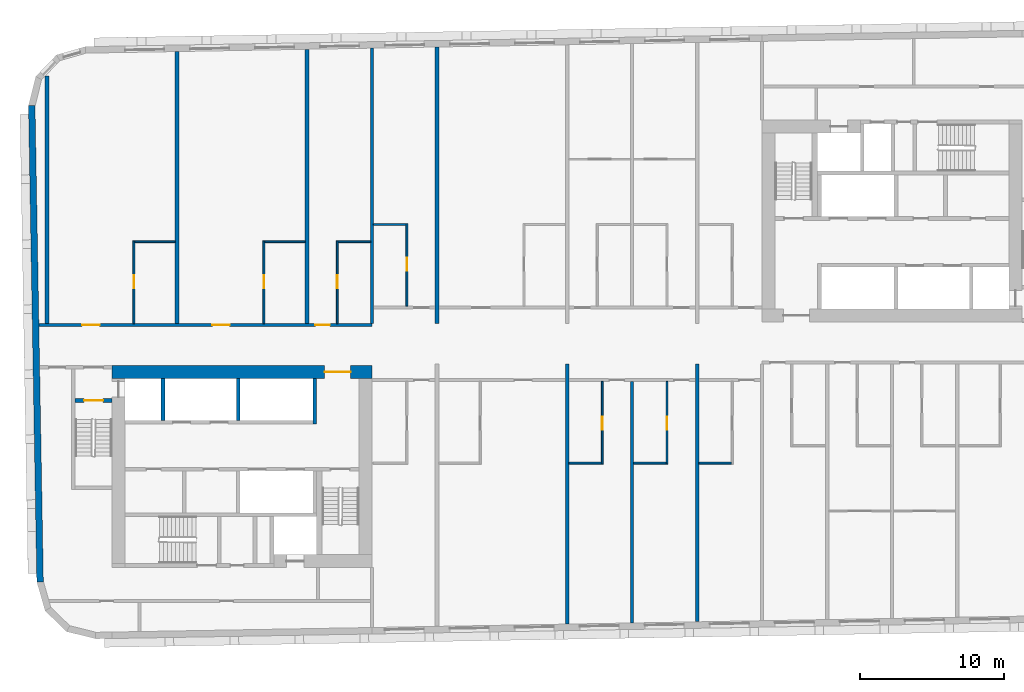
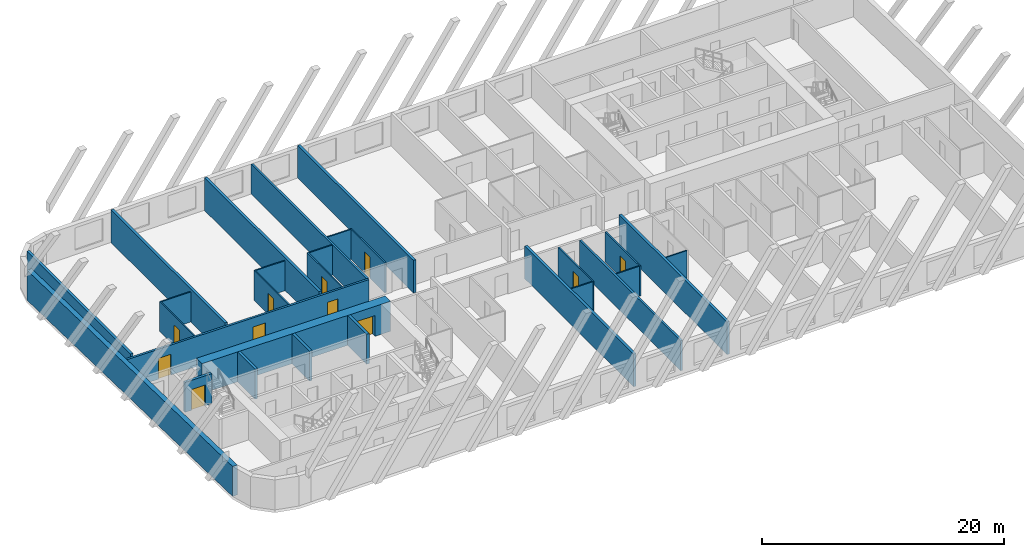
# One storey, part 3 of 12: 28 walls, 11 doors, 11 openings.
"""IFC4 building model written with IfcOpenShell, lengths in metres."""

import ifcopenshell
import ifcopenshell.guid

model = None  # the IFC model being written
_history = None  # IfcOwnerHistory: only IFC2X3 demands one
_inside = {}  # id of a spatial element -> (the spatial element, [elements in it])
_under = {}  # id of a project, library or spatial element -> (it, [spatial elements below it])
_declared = {}  # id of a project -> (the project, [libraries it declares])
_typed = {}  # id of a type object -> (the type object, [elements of that type])
_made_of = {}  # id of a material, layer set ... -> (it, [elements and type objects made of it])


def new_model(schema):
    """Start an empty IFC model of exactly this schema.

    Asked for "IFC4X3", IfcOpenShell would pick the latest addendum, in which some entities
    have other attributes; the version numbers below select the first issue.
    IFC2X3 requires an IfcOwnerHistory on every rooted entity: one is made here for all.
    """
    global model, _history
    if schema == "IFC4X3":
        model = ifcopenshell.file(schema_version=(4, 3, 0, 0))
    else:
        model = ifcopenshell.file(schema=schema)
    _inside.clear()
    _under.clear()
    _declared.clear()
    _typed.clear()
    _made_of.clear()
    _history = None
    if model.schema == "IFC2X3":
        org = make("IfcOrganization", Name="unknown")
        user = make(
            "IfcPersonAndOrganization",
            ThePerson=make("IfcPerson", FamilyName="unknown"),
            TheOrganization=org,
        )
        app = make(
            "IfcApplication",
            ApplicationDeveloper=org,
            Version="unknown",
            ApplicationFullName="unknown",
            ApplicationIdentifier="unknown",
        )
        _history = make(
            "IfcOwnerHistory",
            OwningUser=user,
            OwningApplication=app,
            ChangeAction="ADDED",
            CreationDate=0,
        )
    return model


def make(cls, **values):
    """One entity of the class cls with the attributes given. An attribute that is None is left unset."""
    return model.create_entity(
        cls, **{name: value for name, value in values.items() if value is not None}
    )


def rooted(cls, **values):
    """An entity with a GlobalId (a new one), such as an element, a storey or a relation."""
    return make(cls, GlobalId=ifcopenshell.guid.new(), OwnerHistory=_history, **values)


def si_unit(unit_type, name, prefix=None):
    """IfcSIUnit, for example si_unit("LENGTHUNIT", "METRE", prefix="MILLI")."""
    return make("IfcSIUnit", UnitType=unit_type, Prefix=prefix, Name=name)


def assignment(units):
    """IfcUnitAssignment: the units of a project."""
    return None if units is None else make("IfcUnitAssignment", Units=units)


def point(xyz):
    """IfcCartesianPoint."""
    return None if xyz is None else make("IfcCartesianPoint", Coordinates=xyz)


def direction(xyz):
    """IfcDirection."""
    return None if xyz is None else make("IfcDirection", DirectionRatios=xyz)


def frame(location, z_axis=None, x_axis=None):
    """IfcAxis2Placement3D, a coordinate frame: its origin and axes. An axis left out is left unset."""
    return make(
        "IfcAxis2Placement3D",
        Location=point(location),
        Axis=direction(z_axis),
        RefDirection=direction(x_axis),
    )


def frame_2d(location, x_axis=None):
    """IfcAxis2Placement2D, a coordinate frame in the plane: its origin and x axis."""
    return make(
        "IfcAxis2Placement2D", Location=point(location), RefDirection=direction(x_axis)
    )


def origin():
    """The frame at (0, 0, 0) with its axes left unset."""
    return frame((0.0, 0.0, 0.0))


def place(relative_to, where):
    """IfcLocalPlacement: puts the frame where relative to a parent placement (None: the world)."""
    return make(
        "IfcLocalPlacement", PlacementRelTo=relative_to, RelativePlacement=where
    )


def context(
    kind, dimensions, precision=None, world=None, true_north=None, identifier=None
):
    """IfcGeometricRepresentationContext, for example the 3D "Model" context."""
    return make(
        "IfcGeometricRepresentationContext",
        ContextIdentifier=identifier,
        ContextType=kind,
        CoordinateSpaceDimension=dimensions,
        Precision=precision,
        WorldCoordinateSystem=world,
        TrueNorth=true_north,
    )


def subcontext(parent, identifier, kind, view, scale=None):
    """IfcGeometricRepresentationSubContext, for example "Body" below "Model"."""
    return make(
        "IfcGeometricRepresentationSubContext",
        ContextIdentifier=identifier,
        ContextType=kind,
        ParentContext=parent,
        TargetScale=scale,
        TargetView=view,
    )


def project(units=None, contexts=None):
    """IfcProject with its units and contexts."""
    return rooted(
        "IfcProject",
        Name="project",
        RepresentationContexts=contexts,
        UnitsInContext=assignment(units),
    )


def spatial(cls, under=None, at=None, **own):
    """A site, building, storey or space (cls), placed at a placement, below another one or the project."""
    s = rooted(cls, ObjectPlacement=at, **own)
    if under is not None:
        _under.setdefault(under.id(), (under, []))[1].append(s)
    return s


def profile(cls, at=None, kind="AREA", **sizes):
    """A parametric profile (cls). Its sizes go by their IFC names, for example OverallWidth=200.0."""
    return make(cls, ProfileType=kind, Position=at, **sizes)


def rectangle(**sizes):
    """IfcRectangleProfileDef."""
    return profile("IfcRectangleProfileDef", **sizes)


def extrude(swept, where, along, depth):
    """IfcExtrudedAreaSolid: the profile swept, set in the frame where, extruded along a direction by depth."""
    return make(
        "IfcExtrudedAreaSolid",
        SweptArea=swept,
        Position=where,
        ExtrudedDirection=direction(along),
        Depth=depth,
    )


def shape(context_of_items, identifier, shape_type, items):
    """IfcShapeRepresentation: the items that make up one representation, for example the "Body"."""
    return make(
        "IfcShapeRepresentation",
        ContextOfItems=context_of_items,
        RepresentationIdentifier=identifier,
        RepresentationType=shape_type,
        Items=items,
    )


def material(Name=None, Category=None):
    """IfcMaterial."""
    return make("IfcMaterial", Name=Name, Category=Category)


def layer(
    of_material, thickness, ventilated=None, Name=None, Category=None, Priority=None
):
    """IfcMaterialLayer: one layer of a wall or slab, of a material (None: an air gap)."""
    return make(
        "IfcMaterialLayer",
        Material=of_material,
        LayerThickness=thickness,
        IsVentilated=ventilated,
        Name=Name,
        Category=Category,
        Priority=Priority,
    )


def layer_set(layers, Name=None):
    """IfcMaterialLayerSet."""
    return make("IfcMaterialLayerSet", MaterialLayers=layers, LayerSetName=Name)


def made_of(thing, what):
    """Note that an element or type object is made of a material, layer set ...; save() writes the relation."""
    if what is not None:
        _made_of.setdefault(what.id(), (what, []))[1].append(thing)
    return thing


def type_object(cls, material=None, **own):
    """A type object (cls), such as IfcWallType, which elements share."""
    return made_of(rooted(cls, **own), material)


def element(
    cls,
    number,
    at=None,
    inside=None,
    cuts=None,
    type_object=None,
    material=None,
    context=None,
    identifier="Body",
    shape_type=None,
    held_by="IfcProductDefinitionShape",
    body=None,
    shapes=None,
    **own,
):
    """One element of the class cls, such as IfcWall. Its Tag is "e" and its number.

    at: its placement. inside: the storey or other place that contains it. cuts: it is an
    opening in that element (IfcRelVoidsElement). A single representation is given by context,
    identifier, shape_type and body (its items); several are given by shapes. held_by: the class
    of the entity that holds the representations. save() writes the other relations.
    """
    e = rooted(cls, Tag="e%d" % number, ObjectPlacement=at, **own)
    if body is not None:
        shapes = [shape(context, identifier, shape_type, body)]
    if shapes is not None:
        e.Representation = make(held_by, Representations=shapes)
    if inside is not None:
        _inside.setdefault(inside.id(), (inside, []))[1].append(e)
    if cuts is not None:
        rooted(
            "IfcRelVoidsElement", RelatingBuildingElement=cuts, RelatedOpeningElement=e
        )
    if type_object is not None:
        _typed.setdefault(type_object.id(), (type_object, []))[1].append(e)
    return made_of(e, material)


def fill(opening, filler):
    """IfcRelFillsElement: the door or window that sits in an opening."""
    return rooted(
        "IfcRelFillsElement",
        RelatingOpeningElement=opening,
        RelatedBuildingElement=filler,
    )


def aggregate(whole, parts):
    """IfcRelAggregates: a whole, such as a stair, and the parts it consists of."""
    return rooted("IfcRelAggregates", RelatingObject=whole, RelatedObjects=parts)


def save(model, path):
    """Write the relations noted so far, then the file.

    IfcRelAggregates (storeys below a building ...), IfcRelContainedInSpatialStructure (elements
    in a storey), IfcRelDefinesByType, IfcRelAssociatesMaterial and IfcRelDeclares: one each for
    every whole, place, type object, material and project.
    """
    for whole, parts in _under.values():
        aggregate(whole, parts)
    for where, things in _inside.values():
        rooted(
            "IfcRelContainedInSpatialStructure",
            RelatedElements=things,
            RelatingStructure=where,
        )
    for kind, things in _typed.values():
        rooted("IfcRelDefinesByType", RelatedObjects=things, RelatingType=kind)
    for what, things in _made_of.values():
        rooted("IfcRelAssociatesMaterial", RelatedObjects=things, RelatingMaterial=what)
    for by, libraries in _declared.values():
        rooted("IfcRelDeclares", RelatingContext=by, RelatedDefinitions=libraries)
    model.write(path)


model = new_model("IFC4")

# Units and contexts
model_context = context("Model", 3, precision=1e-05, world=origin(), true_north=direction((0.0, 1.0)))
body_context = subcontext(model_context, "Body", "Model", "MODEL_VIEW")
ifc_project = project(units=[si_unit("LENGTHUNIT", "METRE"), si_unit("AREAUNIT", "SQUARE_METRE"), si_unit("VOLUMEUNIT", "CUBIC_METRE"), si_unit("PLANEANGLEUNIT", "RADIAN"), si_unit("MASSUNIT", "GRAM", prefix="KILO")], contexts=[model_context])

# Site, building, storey
site_placement = place(None, origin())
site = spatial("IfcSite", under=ifc_project, at=site_placement, CompositionType="ELEMENT")
building_placement = place(site_placement, origin())
building = spatial("IfcBuilding", under=site, at=building_placement, Name="Kajstack Hotel Tower", CompositionType="ELEMENT")
storey_placement = place(building_placement, frame((0.0, 0.0, 227.60009765625)))
storey = spatial("IfcBuildingStorey", under=building, at=storey_placement, Name="L55", CompositionType="ELEMENT", Elevation=227.60009765625)

# Wall, opening, door
ifc_material_1 = material(Name="Concrete C60/75", Category="concrete")
ifc_layer_1 = layer(ifc_material_1, 0.89990234375)
ifc_layer_set_1 = layer_set([ifc_layer_1], Name="Core wall 900")
wall_type_1 = type_object("IfcWallType", Name="Core wall 900", PredefinedType="SHEAR", material=ifc_layer_set_1)
wall_1_placement = place(storey_placement, frame((-31.5, -1.949951171875, 0.0), z_axis=(0.0, 0.0, 1.0), x_axis=(1.0, 0.0, 0.0)))
wall_1 = element("IfcWall", 1, at=wall_1_placement, inside=storey, type_object=wall_type_1, Name="Core wall W RN", PredefinedType="SHEAR", context=body_context, shape_type="SweptSolid", body=[
    extrude(rectangle(XDim=18.0, YDim=0.89990234375, at=frame_2d((9.0, 0.0))), origin(), (0.0, 0.0, 1.0), 3.02001953125),
])
opening_1_placement = place(wall_1_placement, frame((14.72509765625, 0.0, 0.0)))
opening_1 = element("IfcOpeningElement", 2, at=opening_1_placement, cuts=wall_1, Name="Opening 55W07", PredefinedType="OPENING", context=body_context, shape_type="SweptSolid", body=[
    extrude(rectangle(XDim=1.800048828125, YDim=2.10009765625, at=frame_2d((0.89990234375, 1.050048828125))), frame((0.0, 0.4599609375, 0.0), z_axis=(0.0, -1.0, 0.0), x_axis=(1.0, 0.0, 0.0)), (0.0, 0.0, 1.0), 0.919921875),
])
ifc_material_2 = material(Name="Glazed steel frame, fire-rated glass", Category="steel")
door_type_1 = type_object("IfcDoorType", Name="Lobby double door 1800", OperationType="DOUBLE_DOOR_DOUBLE_SWING", PredefinedType="DOOR", material=ifc_material_2)
door_1_placement = place(opening_1_placement, origin())
door_1 = element("IfcDoor", 3, at=door_1_placement, inside=storey, type_object=door_type_1, Name="Door 55W07", OperationType="DOUBLE_DOOR_DOUBLE_SWING", OverallHeight=2.10009765625, OverallWidth=1.800048828125, PredefinedType="DOOR", context=body_context, shape_type="SweptSolid", body=[
    extrude(rectangle(XDim=1.800048828125, YDim=2.10009765625, at=frame_2d((0.89990234375, 1.050048828125))), frame((0.0, 0.02490234375, 0.0), z_axis=(0.0, -1.0, 0.0), x_axis=(1.0, 0.0, 0.0)), (0.0, 0.0, 1.0), 0.050048828125),
])
fill(opening_1, door_1)

# Wall, openings, doors
ifc_material_3 = material(Name="Gypsum board on steel studs, mineral wool", Category="steel")
ifc_layer_2 = layer(ifc_material_3, 0.199951171875)
ifc_layer_set_2 = layer_set([ifc_layer_2], Name="Corridor wall 200")
wall_type_2 = type_object("IfcWallType", Name="Corridor wall 200", PredefinedType="PARTITIONING", material=ifc_layer_set_2)
wall_2_placement = place(storey_placement, frame((-36.56591796875, 1.300048828125, 0.0), z_axis=(0.0, 0.0, 1.0), x_axis=(1.0, 0.0, 0.0)))
wall_2 = element("IfcWall", 4, at=wall_2_placement, inside=storey, type_object=wall_type_2, Name="G-wall-L55-003", PredefinedType="PARTITIONING", context=body_context, shape_type="SweptSolid", body=[
    extrude(rectangle(XDim=23.06591796875, YDim=0.199951171875, at=frame_2d((11.532958984375, 0.0))), origin(), (0.0, 0.0, 1.0), 3.02001953125),
])
opening_2_placement = place(wall_2_placement, frame((3.00390625, 0.0, 0.0)))
opening_2 = element("IfcOpeningElement", 5, at=opening_2_placement, cuts=wall_2, Name="Opening 55001", PredefinedType="OPENING", context=body_context, shape_type="SweptSolid", body=[
    extrude(rectangle(XDim=1.199951171875, YDim=2.10009765625, at=frame_2d((0.60009765625, 1.050048828125))), frame((0.0, 0.10986328125, 0.0), z_axis=(0.0, -1.0, 0.0), x_axis=(1.0, 0.0, 0.0)), (0.0, 0.0, 1.0), 0.219970703125),
])
opening_3_placement = place(wall_2_placement, frame((12.00390625, 0.0, 0.0)))
opening_3 = element("IfcOpeningElement", 6, at=opening_3_placement, cuts=wall_2, Name="Opening 55003", PredefinedType="OPENING", context=body_context, shape_type="SweptSolid", body=[
    extrude(rectangle(XDim=1.199951171875, YDim=2.10009765625, at=frame_2d((0.60009765625, 1.050048828125))), frame((0.0, 0.10986328125, 0.0), z_axis=(0.0, -1.0, 0.0), x_axis=(1.0, 0.0, 0.0)), (0.0, 0.0, 1.0), 0.219970703125),
])
opening_4_placement = place(wall_2_placement, frame((19.14111328125, 0.0, 0.0)))
opening_4 = element("IfcOpeningElement", 7, at=opening_4_placement, cuts=wall_2, Name="Opening 55005", PredefinedType="OPENING", context=body_context, shape_type="SweptSolid", body=[
    extrude(rectangle(XDim=1.0, YDim=2.10009765625, at=frame_2d((0.5, 1.050048828125))), frame((0.0, 0.10986328125, 0.0), z_axis=(0.0, -1.0, 0.0), x_axis=(1.0, 0.0, 0.0)), (0.0, 0.0, 1.0), 0.219970703125),
])
ifc_material_4 = material(Name="Oak veneer on timber core, fire-rated leaf", Category="wood")
door_type_2 = type_object("IfcDoorType", Name="Flat entrance door 1000", OperationType="SINGLE_SWING_LEFT", PredefinedType="DOOR", material=ifc_material_4)
door_2_placement = place(opening_4_placement, origin())
door_2 = element("IfcDoor", 8, at=door_2_placement, inside=storey, type_object=door_type_2, Name="G-door-L55-05", OperationType="SINGLE_SWING_RIGHT", OverallHeight=2.10009765625, OverallWidth=1.0, PredefinedType="DOOR", context=body_context, shape_type="SweptSolid", body=[
    extrude(rectangle(XDim=1.0, YDim=2.10009765625, at=frame_2d((0.5, 1.050048828125))), frame((0.0, 0.02490234375, 0.0), z_axis=(0.0, -1.0, 0.0), x_axis=(1.0, 0.0, 0.0)), (0.0, 0.0, 1.0), 0.050048828125),
])
fill(opening_4, door_2)
door_type_3 = type_object("IfcDoorType", Name="Flat entrance door 1200", OperationType="SINGLE_SWING_LEFT", PredefinedType="DOOR", material=ifc_material_4)
door_3_placement = place(opening_2_placement, origin())
door_3 = element("IfcDoor", 9, at=door_3_placement, inside=storey, type_object=door_type_3, Name="G-door-L55-01", OperationType="SINGLE_SWING_RIGHT", OverallHeight=2.10009765625, OverallWidth=1.199951171875, PredefinedType="DOOR", context=body_context, shape_type="SweptSolid", body=[
    extrude(rectangle(XDim=1.199951171875, YDim=2.10009765625, at=frame_2d((0.60009765625, 1.050048828125))), frame((0.0, 0.02490234375, 0.0), z_axis=(0.0, -1.0, 0.0), x_axis=(1.0, 0.0, 0.0)), (0.0, 0.0, 1.0), 0.050048828125),
])
fill(opening_2, door_3)
door_4_placement = place(opening_3_placement, origin())
door_4 = element("IfcDoor", 10, at=door_4_placement, inside=storey, type_object=door_type_3, Name="G-door-L55-03", OperationType="SINGLE_SWING_LEFT", OverallHeight=2.10009765625, OverallWidth=1.199951171875, PredefinedType="DOOR", context=body_context, shape_type="SweptSolid", body=[
    extrude(rectangle(XDim=1.199951171875, YDim=2.10009765625, at=frame_2d((0.60009765625, 1.050048828125))), frame((0.0, 0.02490234375, 0.0), z_axis=(0.0, -1.0, 0.0), x_axis=(1.0, 0.0, 0.0)), (0.0, 0.0, 1.0), 0.050048828125),
])
fill(opening_3, door_4)

# Walls
ifc_material_5 = material(Name="Twin-frame gypsum board on steel studs, mineral wool", Category="steel")
ifc_layer_3 = layer(ifc_material_5, 0.199951171875)
ifc_layer_set_3 = layer_set([ifc_layer_3], Name="Demising wall 200")
wall_type_3 = type_object("IfcWallType", Name="Demising wall 200", PredefinedType="PARTITIONING", material=ifc_layer_set_3)
wall_3_placement = place(storey_placement, frame((-13.5, 1.39990234375, 0.0), z_axis=(0.0, 0.0, 1.0), x_axis=(0.0, 1.0, 0.0)))
element("IfcWall", 11, at=wall_3_placement, inside=storey, type_object=wall_type_3, Name="G-wall-L55-009", PredefinedType="PARTITIONING", context=body_context, shape_type="SweptSolid", body=[
    extrude(rectangle(XDim=19.065185546875, YDim=0.199951171875, at=frame_2d((9.53271484375, 0.0))), origin(), (0.0, 0.0, 1.0), 3.02001953125),
])
wall_4_placement = place(storey_placement, frame((4.5, -19.326904296875, 0.0), z_axis=(0.0, 0.0, 1.0), x_axis=(0.0, 1.0, 0.0)))
element("IfcWall", 12, at=wall_4_placement, inside=storey, type_object=wall_type_3, Name="G-wall-L55-031", PredefinedType="PARTITIONING", context=body_context, shape_type="SweptSolid", body=[
    extrude(rectangle(XDim=16.726806640625, YDim=0.199951171875, at=frame_2d((8.36328125, 0.0))), origin(), (0.0, 0.0, 1.0), 3.02001953125),
])
ifc_material_6 = material(Name="Terracotta-faced brick masonry", Category="masonry")
ifc_layer_4 = layer(ifc_material_6, 0.449951171875)
ifc_layer_set_4 = layer_set([ifc_layer_4], Name="EW-TERRA")
wall_type_4 = type_object("IfcWallType", Name="EW-TERRA", PredefinedType="SOLIDWALL", material=ifc_layer_set_4)
wall_5_placement = place(storey_placement, frame((-37.056884765625, 16.50341796875, 0.0), z_axis=(0.0, 0.0, 1.0), x_axis=(0.017452279857, -0.999847697366, 0.0)))
element("IfcWall", 13, at=wall_5_placement, inside=storey, type_object=wall_type_4, Name="E-wall-L55-00-00", PredefinedType="SOLIDWALL", context=body_context, shape_type="SweptSolid", body=[
    extrude(rectangle(XDim=33.000244140625, YDim=0.449951171875, at=frame_2d((16.5, 0.0))), origin(), (0.0, 0.0, 1.0), 3.02001953125),
])

# Wall, opening, door
ifc_material_7 = material(Name="Gypsum board and tiled backer on steel studs", Category="steel")
ifc_layer_5 = layer(ifc_material_7, 0.125)
ifc_layer_set_5 = layer_set([ifc_layer_5], Name="En-suite wall 125")
wall_type_5 = type_object("IfcWallType", Name="En-suite wall 125", PredefinedType="PARTITIONING", material=ifc_layer_set_5)
wall_6_placement = place(storey_placement, frame((-29.988037109375, 1.39990234375, 0.0), z_axis=(0.0, 0.0, 1.0), x_axis=(0.0, 1.0, 0.0)))
wall_6 = element("IfcWall", 14, at=wall_6_placement, inside=storey, type_object=wall_type_5, Name="G-wall-L55-005", PredefinedType="PARTITIONING", context=body_context, shape_type="SweptSolid", body=[
    extrude(rectangle(XDim=5.72509765625, YDim=0.125, at=frame_2d((2.862548828125, 0.0))), origin(), (0.0, 0.0, 1.0), 3.02001953125),
])
opening_5_placement = place(wall_6_placement, frame((2.449951171875, 0.0, 0.0)))
opening_5 = element("IfcOpeningElement", 15, at=opening_5_placement, cuts=wall_6, Name="Opening 55002", PredefinedType="OPENING", context=body_context, shape_type="SweptSolid", body=[
    extrude(rectangle(XDim=0.89990234375, YDim=2.10009765625, at=frame_2d((0.449951171875, 1.050048828125))), frame((0.0, 0.072509765625, 0.0), z_axis=(0.0, -1.0, 0.0), x_axis=(1.0, 0.0, 0.0)), (0.0, 0.0, 1.0), 0.14501953125),
])
ifc_material_8 = material(Name="Painted timber door leaf", Category="wood")
door_type_4 = type_object("IfcDoorType", Name="Room door 900", OperationType="SINGLE_SWING_LEFT", PredefinedType="DOOR", material=ifc_material_8)
door_5_placement = place(opening_5_placement, origin())
door_5 = element("IfcDoor", 16, at=door_5_placement, inside=storey, type_object=door_type_4, Name="G-door-L55-02", OperationType="SINGLE_SWING_RIGHT", OverallHeight=2.10009765625, OverallWidth=0.89990234375, PredefinedType="DOOR", context=body_context, shape_type="SweptSolid", body=[
    extrude(rectangle(XDim=0.89990234375, YDim=2.10009765625, at=frame_2d((0.449951171875, 1.050048828125))), frame((0.0, 0.02490234375, 0.0), z_axis=(0.0, -1.0, 0.0), x_axis=(1.0, 0.0, 0.0)), (0.0, 0.0, 1.0), 0.050048828125),
])
fill(opening_5, door_5)

# Wall
wall_7_placement = place(storey_placement, frame((-29.925048828125, 7.06201171875, 0.0), z_axis=(0.0, 0.0, 1.0), x_axis=(1.0, 0.0, 0.0)))
element("IfcWall", 17, at=wall_7_placement, inside=storey, type_object=wall_type_5, Name="G-wall-L55-006", PredefinedType="PARTITIONING", context=body_context, shape_type="SweptSolid", body=[
    extrude(rectangle(XDim=2.800048828125, YDim=0.125, at=frame_2d((1.39990234375, 0.0))), origin(), (0.0, 0.0, 1.0), 3.02001953125),
])

# Wall, opening, door
wall_8_placement = place(storey_placement, frame((-20.988037109375, 1.39990234375, 0.0), z_axis=(0.0, 0.0, 1.0), x_axis=(0.0, 1.0, 0.0)))
wall_8 = element("IfcWall", 18, at=wall_8_placement, inside=storey, type_object=wall_type_5, Name="G-wall-L55-007", PredefinedType="PARTITIONING", context=body_context, shape_type="SweptSolid", body=[
    extrude(rectangle(XDim=5.72509765625, YDim=0.125, at=frame_2d((2.862548828125, 0.0))), origin(), (0.0, 0.0, 1.0), 3.02001953125),
])
opening_6_placement = place(wall_8_placement, frame((2.449951171875, 0.0, 0.0)))
opening_6 = element("IfcOpeningElement", 19, at=opening_6_placement, cuts=wall_8, Name="Opening 55004", PredefinedType="OPENING", context=body_context, shape_type="SweptSolid", body=[
    extrude(rectangle(XDim=0.89990234375, YDim=2.10009765625, at=frame_2d((0.449951171875, 1.050048828125))), frame((0.0, 0.072509765625, 0.0), z_axis=(0.0, -1.0, 0.0), x_axis=(1.0, 0.0, 0.0)), (0.0, 0.0, 1.0), 0.14501953125),
])
door_6_placement = place(opening_6_placement, origin())
door_6 = element("IfcDoor", 20, at=door_6_placement, inside=storey, type_object=door_type_4, Name="G-door-L55-04", OperationType="SINGLE_SWING_RIGHT", OverallHeight=2.10009765625, OverallWidth=0.89990234375, PredefinedType="DOOR", context=body_context, shape_type="SweptSolid", body=[
    extrude(rectangle(XDim=0.89990234375, YDim=2.10009765625, at=frame_2d((0.449951171875, 1.050048828125))), frame((0.0, 0.02490234375, 0.0), z_axis=(0.0, -1.0, 0.0), x_axis=(1.0, 0.0, 0.0)), (0.0, 0.0, 1.0), 0.050048828125),
])
fill(opening_6, door_6)

# Wall
wall_9_placement = place(storey_placement, frame((-20.925048828125, 7.06201171875, 0.0), z_axis=(0.0, 0.0, 1.0), x_axis=(1.0, 0.0, 0.0)))
element("IfcWall", 21, at=wall_9_placement, inside=storey, type_object=wall_type_5, Name="G-wall-L55-008", PredefinedType="PARTITIONING", context=body_context, shape_type="SweptSolid", body=[
    extrude(rectangle(XDim=2.800048828125, YDim=0.125, at=frame_2d((1.39990234375, 0.0))), origin(), (0.0, 0.0, 1.0), 3.02001953125),
])

# Wall, opening, door
wall_10_placement = place(storey_placement, frame((-15.912109375, 1.39990234375, 0.0), z_axis=(0.0, 0.0, 1.0), x_axis=(0.0, 1.0, 0.0)))
wall_10 = element("IfcWall", 22, at=wall_10_placement, inside=storey, type_object=wall_type_5, Name="G-wall-L55-010", PredefinedType="PARTITIONING", context=body_context, shape_type="SweptSolid", body=[
    extrude(rectangle(XDim=5.72509765625, YDim=0.125, at=frame_2d((2.862548828125, 0.0))), origin(), (0.0, 0.0, 1.0), 3.02001953125),
])
opening_7_placement = place(wall_10_placement, frame((2.449951171875, 0.0, 0.0)))
opening_7 = element("IfcOpeningElement", 23, at=opening_7_placement, cuts=wall_10, Name="Opening 55006", PredefinedType="OPENING", context=body_context, shape_type="SweptSolid", body=[
    extrude(rectangle(XDim=0.89990234375, YDim=2.10009765625, at=frame_2d((0.449951171875, 1.050048828125))), frame((0.0, 0.072509765625, 0.0), z_axis=(0.0, -1.0, 0.0), x_axis=(1.0, 0.0, 0.0)), (0.0, 0.0, 1.0), 0.14501953125),
])
door_7_placement = place(opening_7_placement, origin())
door_7 = element("IfcDoor", 24, at=door_7_placement, inside=storey, type_object=door_type_4, Name="G-door-L55-06", OperationType="SINGLE_SWING_LEFT", OverallHeight=2.10009765625, OverallWidth=0.89990234375, PredefinedType="DOOR", context=body_context, shape_type="SweptSolid", body=[
    extrude(rectangle(XDim=0.89990234375, YDim=2.10009765625, at=frame_2d((0.449951171875, 1.050048828125))), frame((0.0, 0.02490234375, 0.0), z_axis=(0.0, -1.0, 0.0), x_axis=(1.0, 0.0, 0.0)), (0.0, 0.0, 1.0), 0.050048828125),
])
fill(opening_7, door_7)

# Wall
wall_11_placement = place(storey_placement, frame((-15.85009765625, 7.06201171875, 0.0), z_axis=(0.0, 0.0, 1.0), x_axis=(1.0, 0.0, 0.0)))
element("IfcWall", 25, at=wall_11_placement, inside=storey, type_object=wall_type_5, Name="G-wall-L55-011", PredefinedType="PARTITIONING", context=body_context, shape_type="SweptSolid", body=[
    extrude(rectangle(XDim=2.25, YDim=0.125, at=frame_2d((1.125, 0.0))), origin(), (0.0, 0.0, 1.0), 3.02001953125),
])

# Wall, opening, door
wall_12_placement = place(storey_placement, frame((-11.087890625, 2.60009765625, 0.0), z_axis=(0.0, 0.0, 1.0), x_axis=(0.0, 1.0, 0.0)))
wall_12 = element("IfcWall", 26, at=wall_12_placement, inside=storey, type_object=wall_type_5, Name="G-wall-L55-012", PredefinedType="PARTITIONING", context=body_context, shape_type="SweptSolid", body=[
    extrude(rectangle(XDim=5.724853515625, YDim=0.125, at=frame_2d((2.8623046875, 0.0))), origin(), (0.0, 0.0, 1.0), 3.02001953125),
])
opening_8_placement = place(wall_12_placement, frame((2.449951171875, 0.0, 0.0)))
opening_8 = element("IfcOpeningElement", 27, at=opening_8_placement, cuts=wall_12, Name="Opening 55008", PredefinedType="OPENING", context=body_context, shape_type="SweptSolid", body=[
    extrude(rectangle(XDim=0.89990234375, YDim=2.10009765625, at=frame_2d((0.449951171875, 1.050048828125))), frame((0.0, 0.072509765625, 0.0), z_axis=(0.0, -1.0, 0.0), x_axis=(1.0, 0.0, 0.0)), (0.0, 0.0, 1.0), 0.14501953125),
])
door_8_placement = place(opening_8_placement, origin())
door_8 = element("IfcDoor", 28, at=door_8_placement, inside=storey, type_object=door_type_4, Name="G-door-L55-08", OperationType="SINGLE_SWING_LEFT", OverallHeight=2.10009765625, OverallWidth=0.89990234375, PredefinedType="DOOR", context=body_context, shape_type="SweptSolid", body=[
    extrude(rectangle(XDim=0.89990234375, YDim=2.10009765625, at=frame_2d((0.449951171875, 1.050048828125))), frame((0.0, 0.02490234375, 0.0), z_axis=(0.0, -1.0, 0.0), x_axis=(1.0, 0.0, 0.0)), (0.0, 0.0, 1.0), 0.050048828125),
])
fill(opening_8, door_8)

# Wall
wall_13_placement = place(storey_placement, frame((-13.39990234375, 8.261962890625, 0.0), z_axis=(0.0, 0.0, 1.0), x_axis=(1.0, 0.0, 0.0)))
element("IfcWall", 29, at=wall_13_placement, inside=storey, type_object=wall_type_5, Name="G-wall-L55-013", PredefinedType="PARTITIONING", context=body_context, shape_type="SweptSolid", body=[
    extrude(rectangle(XDim=2.25, YDim=0.125, at=frame_2d((1.125, 0.0))), origin(), (0.0, 0.0, 1.0), 3.02001953125),
])

# Wall, opening, door
wall_14_placement = place(storey_placement, frame((2.43798828125, -8.324951171875, 0.0), z_axis=(0.0, 0.0, 1.0), x_axis=(0.0, 1.0, 0.0)))
wall_14 = element("IfcWall", 30, at=wall_14_placement, inside=storey, type_object=wall_type_5, Name="G-wall-L55-032", PredefinedType="PARTITIONING", context=body_context, shape_type="SweptSolid", body=[
    extrude(rectangle(XDim=5.724853515625, YDim=0.125, at=frame_2d((2.8623046875, 0.0))), origin(), (0.0, 0.0, 1.0), 3.02001953125),
])
opening_9_placement = place(wall_14_placement, frame((2.375, 0.0, 0.0)))
opening_9 = element("IfcOpeningElement", 31, at=opening_9_placement, cuts=wall_14, Name="Opening 55024", PredefinedType="OPENING", context=body_context, shape_type="SweptSolid", body=[
    extrude(rectangle(XDim=0.89990234375, YDim=2.10009765625, at=frame_2d((0.449951171875, 1.050048828125))), frame((0.0, 0.072509765625, 0.0), z_axis=(0.0, -1.0, 0.0), x_axis=(1.0, 0.0, 0.0)), (0.0, 0.0, 1.0), 0.14501953125),
])
door_9_placement = place(opening_9_placement, origin())
door_9 = element("IfcDoor", 32, at=door_9_placement, inside=storey, type_object=door_type_4, Name="G-door-L55-24", OperationType="SINGLE_SWING_LEFT", OverallHeight=2.10009765625, OverallWidth=0.89990234375, PredefinedType="DOOR", context=body_context, shape_type="SweptSolid", body=[
    extrude(rectangle(XDim=0.89990234375, YDim=2.10009765625, at=frame_2d((0.449951171875, 1.050048828125))), frame((0.0, 0.02490234375, 0.0), z_axis=(0.0, -1.0, 0.0), x_axis=(1.0, 0.0, 0.0)), (0.0, 0.0, 1.0), 0.050048828125),
])
fill(opening_9, door_9)

# Wall
wall_15_placement = place(storey_placement, frame((0.125, -8.261962890625, 0.0), z_axis=(0.0, 0.0, 1.0), x_axis=(1.0, 0.0, 0.0)))
element("IfcWall", 33, at=wall_15_placement, inside=storey, type_object=wall_type_5, Name="G-wall-L55-033", PredefinedType="PARTITIONING", context=body_context, shape_type="SweptSolid", body=[
    extrude(rectangle(XDim=2.25, YDim=0.125, at=frame_2d((1.125, 0.0))), origin(), (0.0, 0.0, 1.0), 3.02001953125),
])

# Wall, opening, door
wall_16_placement = place(storey_placement, frame((6.912109375, -8.324951171875, 0.0), z_axis=(0.0, 0.0, 1.0), x_axis=(0.0, 1.0, 0.0)))
wall_16 = element("IfcWall", 34, at=wall_16_placement, inside=storey, type_object=wall_type_5, Name="G-wall-L55-034", PredefinedType="PARTITIONING", context=body_context, shape_type="SweptSolid", body=[
    extrude(rectangle(XDim=5.724853515625, YDim=0.125, at=frame_2d((2.8623046875, 0.0))), origin(), (0.0, 0.0, 1.0), 3.02001953125),
])
opening_10_placement = place(wall_16_placement, frame((2.375, 0.0, 0.0)))
opening_10 = element("IfcOpeningElement", 35, at=opening_10_placement, cuts=wall_16, Name="Opening 55026", PredefinedType="OPENING", context=body_context, shape_type="SweptSolid", body=[
    extrude(rectangle(XDim=0.89990234375, YDim=2.10009765625, at=frame_2d((0.449951171875, 1.050048828125))), frame((0.0, 0.072509765625, 0.0), z_axis=(0.0, -1.0, 0.0), x_axis=(1.0, 0.0, 0.0)), (0.0, 0.0, 1.0), 0.14501953125),
])
door_10_placement = place(opening_10_placement, origin())
door_10 = element("IfcDoor", 36, at=door_10_placement, inside=storey, type_object=door_type_4, Name="G-door-L55-26", OperationType="SINGLE_SWING_LEFT", OverallHeight=2.10009765625, OverallWidth=0.89990234375, PredefinedType="DOOR", context=body_context, shape_type="SweptSolid", body=[
    extrude(rectangle(XDim=0.89990234375, YDim=2.10009765625, at=frame_2d((0.449951171875, 1.050048828125))), frame((0.0, 0.02490234375, 0.0), z_axis=(0.0, -1.0, 0.0), x_axis=(1.0, 0.0, 0.0)), (0.0, 0.0, 1.0), 0.050048828125),
])
fill(opening_10, door_10)

# Walls
for number, where, z_axis, x_axis, name in (
    (37, (4.60009765625, -8.261962890625, 0.0), (0.0, 0.0, 1.0), (1.0, 0.0, 0.0), "G-wall-L55-035"),
    (38, (9.125, -8.261962890625, 0.0), (0.0, 0.0, 1.0), (1.0, 0.0, 0.0), "G-wall-L55-038"),
):
    element("IfcWall", number, at=place(storey_placement, frame(where, z_axis=z_axis, x_axis=x_axis)), inside=storey, type_object=wall_type_5, Name=name, PredefinedType="PARTITIONING", context=body_context, shape_type="SweptSolid", body=[
        extrude(rectangle(XDim=2.25, YDim=0.125, at=frame_2d((1.125, 0.0))), origin(), (0.0, 0.0, 1.0), 3.02001953125),
    ])
ifc_material_9 = material(Name="Concrete C50/60", Category="concrete")
ifc_layer_6 = layer(ifc_material_9, 0.300048828125)
ifc_layer_set_6 = layer_set([ifc_layer_6], Name="Hoistway divider wall 300")
wall_type_6 = type_object("IfcWallType", Name="Hoistway divider wall 300", PredefinedType="SHEAR", material=ifc_layer_set_6)
wall_17_placement = place(storey_placement, frame((-22.77490234375, -5.300048828125, 0.0), z_axis=(0.0, 0.0, 1.0), x_axis=(0.0, 1.0, 0.0)))
element("IfcWall", 39, at=wall_17_placement, inside=storey, type_object=wall_type_6, Name="Core wall W AP2", PredefinedType="SHEAR", context=body_context, shape_type="SweptSolid", body=[
    extrude(rectangle(XDim=2.900146484375, YDim=0.25, at=frame_2d((1.4501953125, 0.0))), origin(), (0.0, 0.0, 1.0), 3.02001953125),
])
ifc_material_10 = material(Name="Concrete C45/55", Category="concrete")
ifc_layer_7 = layer(ifc_material_10, 0.25)
ifc_layer_set_7 = layer_set([ifc_layer_7], Name="RC cross wall 250 C45/55")
wall_type_7 = type_object("IfcWallType", Name="RC cross wall 250 C45/55", PredefinedType="SHEAR", material=ifc_layer_set_7)
wall_18_placement = place(storey_placement, frame((-36.0, 1.39990234375, 0.0), z_axis=(0.0, 0.0, 1.0), x_axis=(0.0, 1.0, 0.0)))
element("IfcWall", 40, at=wall_18_placement, inside=storey, type_object=wall_type_7, Name="S-wall-L55-01", PredefinedType="SHEAR", context=body_context, shape_type="SweptSolid", body=[
    extrude(rectangle(XDim=17.12548828125, YDim=0.25, at=frame_2d((8.562744140625, 0.0))), origin(), (0.0, 0.0, 1.0), 3.2998046875),
])
wall_19_placement = place(storey_placement, frame((-27.0, 1.39990234375, 0.0), z_axis=(0.0, 0.0, 1.0), x_axis=(0.0, 1.0, 0.0)))
element("IfcWall", 41, at=wall_19_placement, inside=storey, type_object=wall_type_7, Name="S-wall-L55-02", PredefinedType="SHEAR", context=body_context, shape_type="SweptSolid", body=[
    extrude(rectangle(XDim=18.8173828125, YDim=0.25, at=frame_2d((9.40869140625, 0.0))), origin(), (0.0, 0.0, 1.0), 3.2998046875),
])
wall_20_placement = place(storey_placement, frame((-18.0, 1.39990234375, 0.0), z_axis=(0.0, 0.0, 1.0), x_axis=(0.0, 1.0, 0.0)))
element("IfcWall", 42, at=wall_20_placement, inside=storey, type_object=wall_type_7, Name="S-wall-L55-03", PredefinedType="SHEAR", context=body_context, shape_type="SweptSolid", body=[
    extrude(rectangle(XDim=18.974365234375, YDim=0.25, at=frame_2d((9.4873046875, 0.0))), origin(), (0.0, 0.0, 1.0), 3.2998046875),
])
wall_21_placement = place(storey_placement, frame((-9.0, 1.39990234375, 0.0), z_axis=(0.0, 0.0, 1.0), x_axis=(0.0, 1.0, 0.0)))
element("IfcWall", 43, at=wall_21_placement, inside=storey, type_object=wall_type_7, Name="S-wall-L55-05", PredefinedType="SHEAR", context=body_context, shape_type="SweptSolid", body=[
    extrude(rectangle(XDim=19.131591796875, YDim=0.25, at=frame_2d((9.56591796875, 0.0))), origin(), (0.0, 0.0, 1.0), 3.2998046875),
])
wall_22_placement = place(storey_placement, frame((0.0, -19.393310546875, 0.0), z_axis=(0.0, 0.0, 1.0), x_axis=(0.0, 1.0, 0.0)))
element("IfcWall", 44, at=wall_22_placement, inside=storey, type_object=wall_type_7, Name="S-wall-L55-06", PredefinedType="SHEAR", context=body_context, shape_type="SweptSolid", body=[
    extrude(rectangle(XDim=17.993408203125, YDim=0.25, at=frame_2d((8.99658203125, 0.0))), origin(), (0.0, 0.0, 1.0), 3.2998046875),
])
wall_23_placement = place(storey_placement, frame((9.0, -19.236083984375, 0.0), z_axis=(0.0, 0.0, 1.0), x_axis=(0.0, 1.0, 0.0)))
element("IfcWall", 45, at=wall_23_placement, inside=storey, type_object=wall_type_7, Name="S-wall-L55-08", PredefinedType="SHEAR", context=body_context, shape_type="SweptSolid", body=[
    extrude(rectangle(XDim=17.836181640625, YDim=0.25, at=frame_2d((8.91796875, 0.0))), origin(), (0.0, 0.0, 1.0), 3.2998046875),
])
ifc_layer_8 = layer(ifc_material_9, 0.25)
ifc_layer_set_8 = layer_set([ifc_layer_8], Name="Shaft wall 250")
wall_type_8 = type_object("IfcWallType", Name="Shaft wall 250", PredefinedType="SHEAR", material=ifc_layer_set_8)
wall_24_placement = place(storey_placement, frame((-17.47509765625, -5.550048828125, 0.0), z_axis=(0.0, 0.0, 1.0), x_axis=(0.0, 1.0, 0.0)))
element("IfcWall", 46, at=wall_24_placement, inside=storey, type_object=wall_type_8, Name="Core wall W AE", PredefinedType="SHEAR", context=body_context, shape_type="SweptSolid", body=[
    extrude(rectangle(XDim=3.150146484375, YDim=0.25, at=frame_2d((1.5751953125, 0.0))), origin(), (0.0, 0.0, 1.0), 3.02001953125),
])
wall_25_placement = place(storey_placement, frame((-27.97509765625, -5.300048828125, 0.0), z_axis=(0.0, 0.0, 1.0), x_axis=(0.0, 1.0, 0.0)))
element("IfcWall", 47, at=wall_25_placement, inside=storey, type_object=wall_type_8, Name="Core wall W AP0", PredefinedType="SHEAR", context=body_context, shape_type="SweptSolid", body=[
    extrude(rectangle(XDim=2.900146484375, YDim=0.25, at=frame_2d((1.4501953125, 0.0))), origin(), (0.0, 0.0, 1.0), 3.02001953125),
])

# Wall, opening, door
ifc_material_11 = material(Name="Concrete C40/50", Category="concrete")
ifc_layer_9 = layer(ifc_material_11, 0.25)
ifc_layer_set_9 = layer_set([ifc_layer_9], Name="Stair enclosure wall 250")
wall_type_9 = type_object("IfcWallType", Name="Stair enclosure wall 250", PredefinedType="SHEAR", material=ifc_layer_set_9)
wall_26_placement = place(storey_placement, frame((-34.050048828125, -3.925048828125, 0.0), z_axis=(0.0, 0.0, 1.0), x_axis=(1.0, 0.0, 0.0)))
wall_26 = element("IfcWall", 48, at=wall_26_placement, inside=storey, type_object=wall_type_9, Name="Core wall W W1N", PredefinedType="SHEAR", context=body_context, shape_type="SweptSolid", body=[
    extrude(rectangle(XDim=2.550048828125, YDim=0.25, at=frame_2d((1.27490234375, 0.0))), origin(), (0.0, 0.0, 1.0), 3.02001953125),
])
opening_11_placement = place(wall_26_placement, frame((0.625, 0.0, 0.0)))
opening_11 = element("IfcOpeningElement", 49, at=opening_11_placement, cuts=wall_26, Name="Opening 55W09", PredefinedType="OPENING", context=body_context, shape_type="SweptSolid", body=[
    extrude(rectangle(XDim=1.300048828125, YDim=2.10009765625, at=frame_2d((0.64990234375, 1.050048828125))), frame((0.0, 0.135009765625, 0.0), z_axis=(0.0, -1.0, 0.0), x_axis=(1.0, 0.0, 0.0)), (0.0, 0.0, 1.0), 0.27001953125),
])
ifc_material_12 = material(Name="Steel leaf, fire-rated", Category="steel")
door_type_5 = type_object("IfcDoorType", Name="Stair door 1300", OperationType="SINGLE_SWING_LEFT", PredefinedType="DOOR", material=ifc_material_12)
door_11_placement = place(opening_11_placement, origin())
door_11 = element("IfcDoor", 50, at=door_11_placement, inside=storey, type_object=door_type_5, Name="Door 55W09", OperationType="SINGLE_SWING_RIGHT", OverallHeight=2.10009765625, OverallWidth=1.300048828125, PredefinedType="DOOR", context=body_context, shape_type="SweptSolid", body=[
    extrude(rectangle(XDim=1.300048828125, YDim=2.10009765625, at=frame_2d((0.64990234375, 1.050048828125))), frame((0.0, 0.02490234375, 0.0), z_axis=(0.0, -1.0, 0.0), x_axis=(1.0, 0.0, 0.0)), (0.0, 0.0, 1.0), 0.050048828125),
])
fill(opening_11, door_11)

save(model, "model.ifc")
